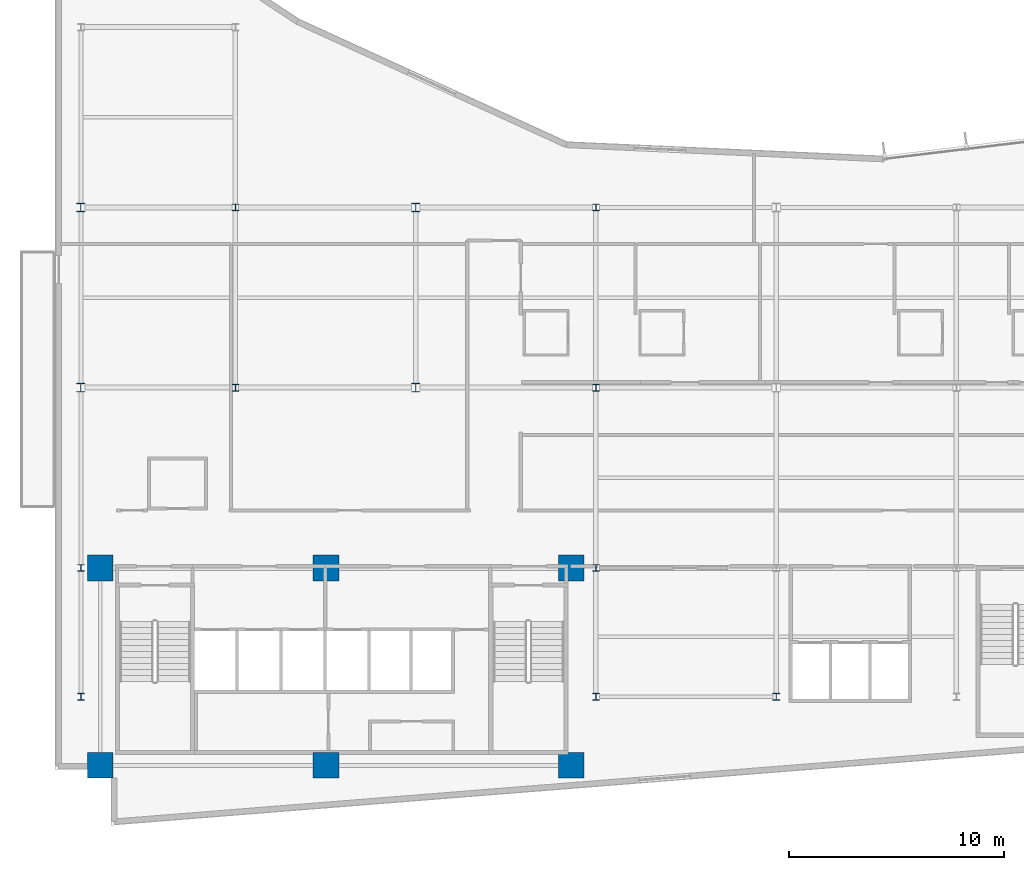
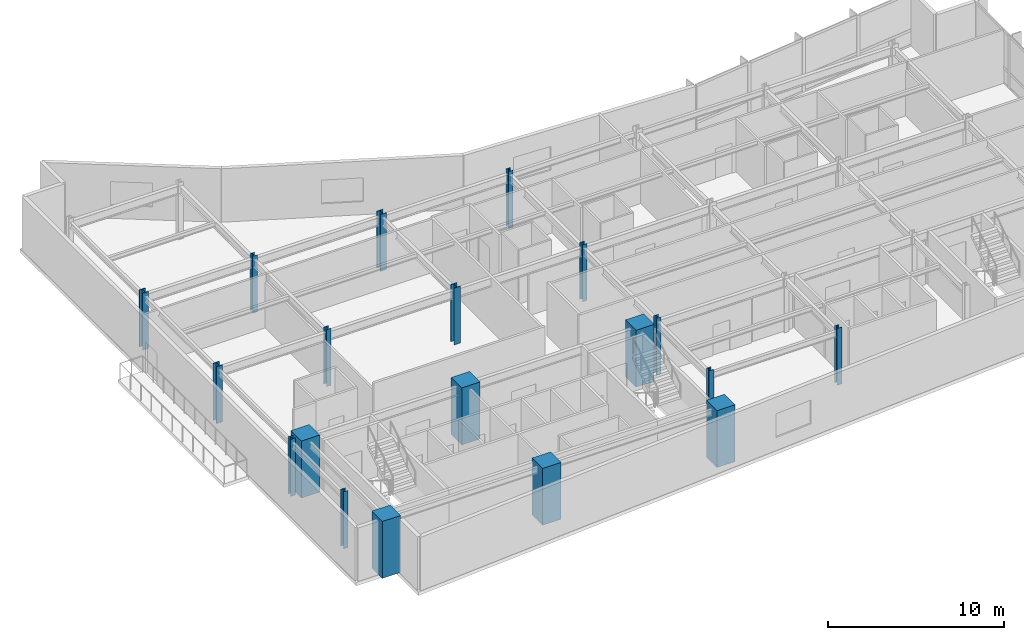
# One storey, part 1 of 17: 19 columns.
"""IFC4 building model written with IfcOpenShell, lengths in metres."""

from ifc_helpers import new_model, si_unit, direction, frame, origin, origin_2d, place, context, subcontext, project, spatial, rectangle, i_section, extrude, material, material_profile, profile_set, type_object, element, save


model = new_model("IFC4")

# Units and contexts
model_context = context("Model", 3, precision=1e-05, world=origin(), true_north=direction((0.0, 1.0)))
body_context = subcontext(model_context, "Body", "Model", "MODEL_VIEW")
ifc_project = project(units=[si_unit("LENGTHUNIT", "METRE"), si_unit("AREAUNIT", "SQUARE_METRE"), si_unit("VOLUMEUNIT", "CUBIC_METRE"), si_unit("PLANEANGLEUNIT", "RADIAN"), si_unit("MASSUNIT", "GRAM", prefix="KILO")], contexts=[model_context])

# Site, building, storey
site_placement = place(None, origin())
site = spatial("IfcSite", under=ifc_project, at=site_placement, CompositionType="ELEMENT")
building_placement = place(site_placement, origin())
building = spatial("IfcBuilding", under=site, at=building_placement, Name="Varnakote Quay Hospital", CompositionType="ELEMENT")
storey_placement = place(building_placement, frame((0.0, 0.0, 146.800048828125)))
storey = spatial("IfcBuildingStorey", under=building, at=storey_placement, Name="L36", CompositionType="ELEMENT", Elevation=146.800048828125)

# Columns
ifc_material_1 = material(Name="Concrete N80 (f'c 80 MPa)", Category="concrete")
ifc_material_profile_1 = material_profile(ifc_material_1, rectangle(XDim=1.199951171875, YDim=1.199951171875, at=origin_2d()), Name="RC-COL-1200x1200")
ifc_profile_set_1 = profile_set([ifc_material_profile_1], Name="Concrete N80 (f'c 80 MPa)")
column_type_1 = type_object("IfcColumnType", Name="COL-RC-1200", PredefinedType="COLUMN", material=ifc_profile_set_1)
for number, where, z_axis, x_axis, name in (
    (1, (2.10009765625, 2.800048828125, 0.0), (0.0, 0.0, 1.0), (1.0, 0.0, 0.0), "L36 Structural Column C-2-3"),
    (2, (12.6201171875, 2.800048828125, 0.0), (0.0, 0.0, 1.0), (1.0, 0.0, 0.0), "L36 Structural Column C-13-3"),
    (3, (24.050048828125, 2.800048828125, 0.0), (0.0, 0.0, 1.0), (1.0, 0.0, 0.0), "L36 Structural Column C-24-3"),
    (4, (2.10009765625, 12.0, 0.0), (0.0, 0.0, 1.0), (1.0, 0.0, 0.0), "L36 Structural Column C-2-12"),
    (5, (12.6201171875, 12.0, 0.0), (0.0, 0.0, 1.0), (1.0, 0.0, 0.0), "L36 Structural Column C-13-12"),
    (6, (24.050048828125, 12.0, 0.0), (0.0, 0.0, 1.0), (1.0, 0.0, 0.0), "L36 Structural Column C-24-12"),
):
    element("IfcColumn", number, at=place(storey_placement, frame(where, z_axis=z_axis, x_axis=x_axis)), inside=storey, type_object=column_type_1, Name=name, PredefinedType="COLUMN", context=body_context, shape_type="SweptSolid", body=[
        extrude(rectangle(XDim=1.199951171875, YDim=1.199951171875, at=origin_2d()), origin(), (0.0, 0.0, 1.0), 3.949951171875),
    ])
ifc_material_2 = material(Name="Structural steel AS/NZS 3679.1 Grade 350 L0 (fy 340 MPa)", Category="steel")
ifc_material_profile_2 = material_profile(ifc_material_2, i_section(OverallWidth=0.306884765625, OverallDepth=0.31494140625, WebThickness=0.011962890625, FlangeThickness=0.018798828125, FilletRadius=0.0166015625, at=origin_2d()), Name="310UC118")
ifc_profile_set_2 = profile_set([ifc_material_profile_2], Name="Structural steel AS/NZS 3679.1 Grade 350 L0 (fy 340 MPa)")
column_type_2 = type_object("IfcColumnType", Name="COL-STL-310UC118", PredefinedType="COLUMN", material=ifc_profile_set_2)
for number, where, z_axis, x_axis, name in (
    (7, (1.199951171875, 6.0, 0.0), (0.0, 0.0, 1.0), (1.0, 0.0, 0.0), "L36 Structural Column C-1-6"),
    (8, (25.199951171875, 6.0, 0.0), (0.0, 0.0, 1.0), (1.0, 0.0, 0.0), "L36 Structural Column C-25-6"),
    (9, (33.60009765625, 6.0, 0.0), (0.0, 0.0, 1.0), (1.0, 0.0, 0.0), "L36 Structural Column C-34-6"),
    (10, (1.199951171875, 12.0, 0.0), (0.0, 0.0, 1.0), (1.0, 0.0, 0.0), "L36 Structural Column C-1-12"),
    (11, (25.199951171875, 12.0, 0.0), (0.0, 0.0, 1.0), (1.0, 0.0, 0.0), "L36 Structural Column C-25-12"),
    (12, (8.39990234375, 20.39990234375, 0.0), (0.0, 0.0, 1.0), (1.0, 0.0, 0.0), "L36 Structural Column C-8-20"),
    (13, (25.199951171875, 20.39990234375, 0.0), (0.0, 0.0, 1.0), (1.0, 0.0, 0.0), "L36 Structural Column C-25-20"),
    (14, (8.39990234375, 28.800048828125, 0.0), (0.0, 0.0, 1.0), (1.0, 0.0, 0.0), "L36 Structural Column C-8-29"),
    (15, (25.199951171875, 28.800048828125, 0.0), (0.0, 0.0, 1.0), (1.0, 0.0, 0.0), "L36 Structural Column C-25-29"),
):
    element("IfcColumn", number, at=place(storey_placement, frame(where, z_axis=z_axis, x_axis=x_axis)), inside=storey, type_object=column_type_2, Name=name, PredefinedType="COLUMN", context=body_context, shape_type="SweptSolid", body=[
        extrude(i_section(OverallWidth=0.306884765625, OverallDepth=0.31494140625, WebThickness=0.011962890625, FlangeThickness=0.018798828125, FilletRadius=0.0166015625, at=origin_2d()), origin(), (0.0, 0.0, 1.0), 3.949951171875),
    ])
ifc_material_3 = material(Name="Structural steel AS/NZS 3678 Grade 350 (fy 340 MPa)", Category="steel")
ifc_material_profile_3 = material_profile(ifc_material_3, i_section(OverallWidth=0.39990234375, OverallDepth=0.419921875, WebThickness=0.02490234375, FlangeThickness=0.0400390625, at=origin_2d()), Name="400WC328")
ifc_profile_set_3 = profile_set([ifc_material_profile_3], Name="Structural steel AS/NZS 3678 Grade 350 (fy 340 MPa)")
column_type_3 = type_object("IfcColumnType", Name="COL-STL-400WC328", PredefinedType="COLUMN", material=ifc_profile_set_3)
for number, where, z_axis, x_axis, name in (
    (16, (1.199951171875, 20.39990234375, 0.0), (0.0, 0.0, 1.0), (1.0, 0.0, 0.0), "L36 Structural Column C-1-20"),
    (17, (16.800048828125, 20.39990234375, 0.0), (0.0, 0.0, 1.0), (1.0, 0.0, 0.0), "L36 Structural Column C-17-20"),
    (18, (1.199951171875, 28.800048828125, 0.0), (0.0, 0.0, 1.0), (1.0, 0.0, 0.0), "L36 Structural Column C-1-29"),
    (19, (16.800048828125, 28.800048828125, 0.0), (0.0, 0.0, 1.0), (1.0, 0.0, 0.0), "L36 Structural Column C-17-29"),
):
    element("IfcColumn", number, at=place(storey_placement, frame(where, z_axis=z_axis, x_axis=x_axis)), inside=storey, type_object=column_type_3, Name=name, PredefinedType="COLUMN", context=body_context, shape_type="SweptSolid", body=[
        extrude(i_section(OverallWidth=0.39990234375, OverallDepth=0.419921875, WebThickness=0.02490234375, FlangeThickness=0.0400390625, at=origin_2d()), origin(), (0.0, 0.0, 1.0), 3.949951171875),
    ])

save(model, "model.ifc")
